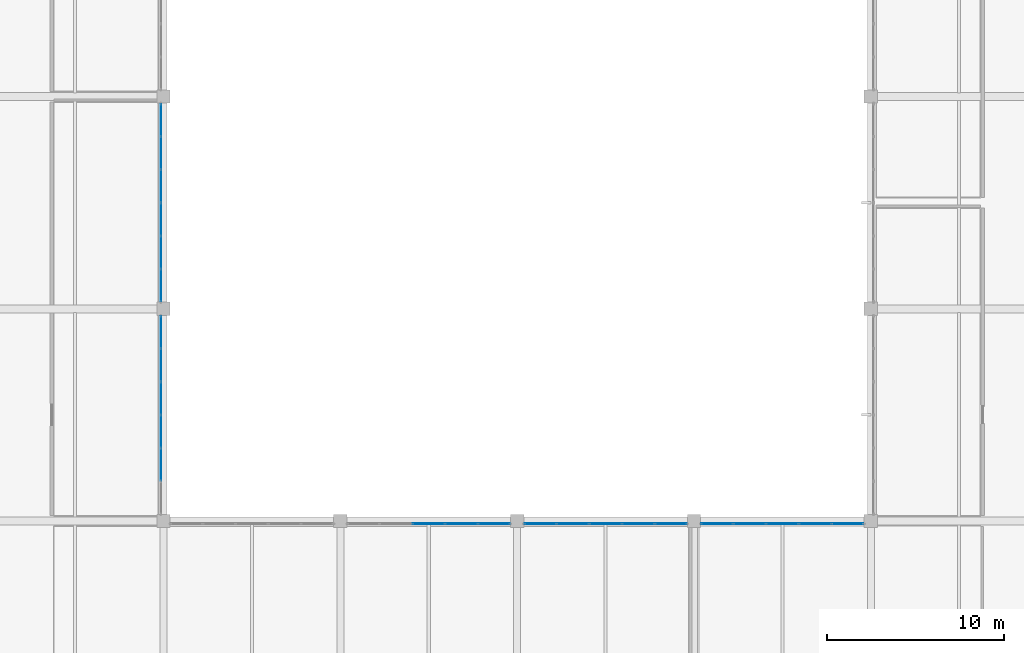
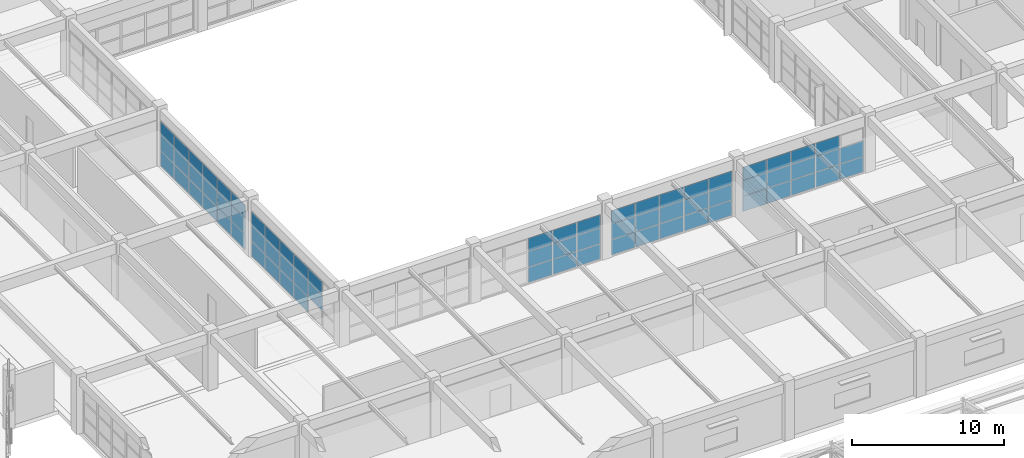
# One storey, part 75 of 109: 70 plates, 5 elements without a shape of their own.
"""IFC4 building model written with IfcOpenShell, lengths in metres."""

from ifc_helpers import new_model, si_unit, direction, frame, origin, origin_2d, place, context, subcontext, project, spatial, rectangle, extrude, material, layer, layer_set, type_object, element, aggregate, save


model = new_model("IFC4")

# Units and contexts
model_context = context("Model", 3, precision=1e-05, world=origin(), true_north=direction((0.0, 1.0)))
body_context = subcontext(model_context, "Body", "Model", "MODEL_VIEW")
ifc_project = project(units=[si_unit("LENGTHUNIT", "METRE"), si_unit("AREAUNIT", "SQUARE_METRE"), si_unit("VOLUMEUNIT", "CUBIC_METRE"), si_unit("PLANEANGLEUNIT", "RADIAN"), si_unit("MASSUNIT", "GRAM", prefix="KILO")], contexts=[model_context])

# Site, building, storey
site_placement = place(None, origin())
site = spatial("IfcSite", under=ifc_project, at=site_placement, CompositionType="ELEMENT")
building_placement = place(site_placement, origin())
building = spatial("IfcBuilding", under=site, at=building_placement, Name="Kivolera Central Railway Station", CompositionType="ELEMENT")
storey_placement = place(building_placement, frame((0.0, 0.0, 9.60009765625)))
storey = spatial("IfcBuildingStorey", under=building, at=storey_placement, Name="L02", CompositionType="ELEMENT", Elevation=9.60009765625)

# Curtain wall, plates
ifc_material_1 = material(Name="Anodised aluminium", Category="aluminium")
ifc_layer_1 = layer(ifc_material_1, 0.179931640625, Name="Anodised aluminium")
ifc_layer_set_1 = layer_set([ifc_layer_1], Name="Anodised aluminium")
curtain_wall_type_1 = type_object("IfcCurtainWallType", Name="CW-SYS-28", PredefinedType="NOTDEFINED", material=ifc_layer_set_1)
curtain_wall_1_placement = place(storey_placement, origin())
curtain_wall_1 = element("IfcCurtainWall", 1, at=curtain_wall_1_placement, inside=storey, type_object=curtain_wall_type_1, Name="L02 Curtain Wall CW-L02-CRTW-G", PredefinedType="NOTDEFINED")
ifc_material_2 = material(Name="Double low-E laminated glass", Category="glass")
ifc_layer_2 = layer(ifc_material_2, 0.02587890625, Name="Double low-E laminated glass")
ifc_layer_set_2 = layer_set([ifc_layer_2], Name="Double low-E laminated glass")
plate_type_1 = type_object("IfcPlateType", Name="CWP-GLZ-1", PredefinedType="CURTAIN_PANEL", material=ifc_layer_set_2)
plate_1_placement = place(storey_placement, frame((137.846923828125, 88.6767578125, 0.0478515625), z_axis=(0.0, 0.0, 1.0), x_axis=(0.0, -1.0, 0.0)))
plate_1 = element("IfcPlate", 2, at=plate_1_placement, type_object=plate_type_1, Name="CW-28 panel 1.1", PredefinedType="CURTAIN_PANEL", context=body_context, shape_type="SweptSolid", body=[
    extrude(rectangle(XDim=1.810546875, YDim=0.02587890625, at=origin_2d()), origin(), (0.0, 0.0, 1.0), 1.21435546875),
])
plate_2_placement = place(storey_placement, frame((137.846923828125, 88.6767578125, 1.29833984375), z_axis=(0.0, 0.0, 1.0), x_axis=(0.0, -1.0, 0.0)))
plate_2 = element("IfcPlate", 3, at=plate_2_placement, type_object=plate_type_1, Name="CW-28 panel 1.2", PredefinedType="CURTAIN_PANEL", context=body_context, shape_type="SweptSolid", body=[
    extrude(rectangle(XDim=1.810546875, YDim=0.02587890625, at=origin_2d()), origin(), (0.0, 0.0, 1.0), 1.244384765625),
])
plate_3_placement = place(storey_placement, frame((137.846923828125, 88.6767578125, 2.57861328125), z_axis=(0.0, 0.0, 1.0), x_axis=(0.0, -1.0, 0.0)))
plate_3 = element("IfcPlate", 4, at=plate_3_placement, type_object=plate_type_1, Name="CW-28 panel 1.3", PredefinedType="CURTAIN_PANEL", context=body_context, shape_type="SweptSolid", body=[
    extrude(rectangle(XDim=1.810546875, YDim=0.02587890625, at=origin_2d()), origin(), (0.0, 0.0, 1.0), 1.031494140625),
])
plate_4_placement = place(storey_placement, frame((137.846923828125, 86.81494140625, 0.0478515625), z_axis=(0.0, 0.0, 1.0), x_axis=(0.0, -1.0, 0.0)))
plate_4 = element("IfcPlate", 5, at=plate_4_placement, type_object=plate_type_1, Name="CW-28 panel 2.1", PredefinedType="CURTAIN_PANEL", context=body_context, shape_type="SweptSolid", body=[
    extrude(rectangle(XDim=1.840576171875, YDim=0.02587890625, at=origin_2d()), origin(), (0.0, 0.0, 1.0), 1.21435546875),
])
plate_5_placement = place(storey_placement, frame((137.846923828125, 86.81494140625, 1.29833984375), z_axis=(0.0, 0.0, 1.0), x_axis=(0.0, -1.0, 0.0)))
plate_5 = element("IfcPlate", 6, at=plate_5_placement, type_object=plate_type_1, Name="CW-28 panel 2.2", PredefinedType="CURTAIN_PANEL", context=body_context, shape_type="SweptSolid", body=[
    extrude(rectangle(XDim=1.840576171875, YDim=0.02587890625, at=origin_2d()), origin(), (0.0, 0.0, 1.0), 1.244384765625),
])
plate_6_placement = place(storey_placement, frame((137.846923828125, 86.81494140625, 2.57861328125), z_axis=(0.0, 0.0, 1.0), x_axis=(0.0, -1.0, 0.0)))
plate_6 = element("IfcPlate", 7, at=plate_6_placement, type_object=plate_type_1, Name="CW-28 panel 2.3", PredefinedType="CURTAIN_PANEL", context=body_context, shape_type="SweptSolid", body=[
    extrude(rectangle(XDim=1.840576171875, YDim=0.02587890625, at=origin_2d()), origin(), (0.0, 0.0, 1.0), 1.031494140625),
])
plate_7_placement = place(storey_placement, frame((137.846923828125, 84.938232421875, 0.0478515625), z_axis=(0.0, 0.0, 1.0), x_axis=(0.0, -1.0, 0.0)))
plate_7 = element("IfcPlate", 8, at=plate_7_placement, type_object=plate_type_1, Name="CW-28 panel 3.1", PredefinedType="CURTAIN_PANEL", context=body_context, shape_type="SweptSolid", body=[
    extrude(rectangle(XDim=1.840576171875, YDim=0.02587890625, at=origin_2d()), origin(), (0.0, 0.0, 1.0), 1.21435546875),
])
plate_8_placement = place(storey_placement, frame((137.846923828125, 84.938232421875, 1.29833984375), z_axis=(0.0, 0.0, 1.0), x_axis=(0.0, -1.0, 0.0)))
plate_8 = element("IfcPlate", 9, at=plate_8_placement, type_object=plate_type_1, Name="CW-28 panel 3.2", PredefinedType="CURTAIN_PANEL", context=body_context, shape_type="SweptSolid", body=[
    extrude(rectangle(XDim=1.840576171875, YDim=0.02587890625, at=origin_2d()), origin(), (0.0, 0.0, 1.0), 1.244384765625),
])
plate_9_placement = place(storey_placement, frame((137.846923828125, 84.938232421875, 2.57861328125), z_axis=(0.0, 0.0, 1.0), x_axis=(0.0, -1.0, 0.0)))
plate_9 = element("IfcPlate", 10, at=plate_9_placement, type_object=plate_type_1, Name="CW-28 panel 3.3", PredefinedType="CURTAIN_PANEL", context=body_context, shape_type="SweptSolid", body=[
    extrude(rectangle(XDim=1.840576171875, YDim=0.02587890625, at=origin_2d()), origin(), (0.0, 0.0, 1.0), 1.031494140625),
])
plate_10_placement = place(storey_placement, frame((137.846923828125, 83.061767578125, 0.0478515625), z_axis=(0.0, 0.0, 1.0), x_axis=(0.0, -1.0, 0.0)))
plate_10 = element("IfcPlate", 11, at=plate_10_placement, type_object=plate_type_1, Name="CW-28 panel 4.1", PredefinedType="CURTAIN_PANEL", context=body_context, shape_type="SweptSolid", body=[
    extrude(rectangle(XDim=1.840576171875, YDim=0.02587890625, at=origin_2d()), origin(), (0.0, 0.0, 1.0), 1.21435546875),
])
plate_11_placement = place(storey_placement, frame((137.846923828125, 83.061767578125, 1.29833984375), z_axis=(0.0, 0.0, 1.0), x_axis=(0.0, -1.0, 0.0)))
plate_11 = element("IfcPlate", 12, at=plate_11_placement, type_object=plate_type_1, Name="CW-28 panel 4.2", PredefinedType="CURTAIN_PANEL", context=body_context, shape_type="SweptSolid", body=[
    extrude(rectangle(XDim=1.840576171875, YDim=0.02587890625, at=origin_2d()), origin(), (0.0, 0.0, 1.0), 1.244384765625),
])
plate_12_placement = place(storey_placement, frame((137.846923828125, 83.061767578125, 2.57861328125), z_axis=(0.0, 0.0, 1.0), x_axis=(0.0, -1.0, 0.0)))
plate_12 = element("IfcPlate", 13, at=plate_12_placement, type_object=plate_type_1, Name="CW-28 panel 4.3", PredefinedType="CURTAIN_PANEL", context=body_context, shape_type="SweptSolid", body=[
    extrude(rectangle(XDim=1.840576171875, YDim=0.02587890625, at=origin_2d()), origin(), (0.0, 0.0, 1.0), 1.031494140625),
])
plate_13_placement = place(storey_placement, frame((137.846923828125, 81.18505859375, 1.29833984375), z_axis=(0.0, 0.0, 1.0), x_axis=(0.0, -1.0, 0.0)))
plate_13 = element("IfcPlate", 14, at=plate_13_placement, type_object=plate_type_1, Name="CW-28 panel 5.2", PredefinedType="CURTAIN_PANEL", context=body_context, shape_type="SweptSolid", body=[
    extrude(rectangle(XDim=1.840576171875, YDim=0.02587890625, at=origin_2d()), origin(), (0.0, 0.0, 1.0), 1.244384765625),
])
plate_14_placement = place(storey_placement, frame((137.846923828125, 81.18505859375, 2.57861328125), z_axis=(0.0, 0.0, 1.0), x_axis=(0.0, -1.0, 0.0)))
plate_14 = element("IfcPlate", 15, at=plate_14_placement, type_object=plate_type_1, Name="CW-28 panel 5.3", PredefinedType="CURTAIN_PANEL", context=body_context, shape_type="SweptSolid", body=[
    extrude(rectangle(XDim=1.840576171875, YDim=0.02587890625, at=origin_2d()), origin(), (0.0, 0.0, 1.0), 1.031494140625),
])
aggregate(curtain_wall_1, [plate_1, plate_2, plate_3, plate_4, plate_5, plate_6, plate_7, plate_8, plate_9, plate_10, plate_11, plate_12, plate_13, plate_14])

curtain_wall_2_placement = place(storey_placement, origin())
curtain_wall_2 = element("IfcCurtainWall", 16, at=curtain_wall_2_placement, inside=storey, type_object=curtain_wall_type_1, Name="L02 Curtain Wall CW-L02-CRTW-H", PredefinedType="NOTDEFINED")
plate_15_placement = place(storey_placement, frame((137.846923828125, 100.6767578125, 0.0478515625), z_axis=(0.0, 0.0, 1.0), x_axis=(0.0, -1.0, 0.0)))
plate_15 = element("IfcPlate", 17, at=plate_15_placement, type_object=plate_type_1, Name="CW-28 panel 1.1", PredefinedType="CURTAIN_PANEL", context=body_context, shape_type="SweptSolid", body=[
    extrude(rectangle(XDim=1.810546875, YDim=0.02587890625, at=origin_2d()), origin(), (0.0, 0.0, 1.0), 1.21435546875),
])
plate_16_placement = place(storey_placement, frame((137.846923828125, 100.6767578125, 1.29833984375), z_axis=(0.0, 0.0, 1.0), x_axis=(0.0, -1.0, 0.0)))
plate_16 = element("IfcPlate", 18, at=plate_16_placement, type_object=plate_type_1, Name="CW-28 panel 1.2", PredefinedType="CURTAIN_PANEL", context=body_context, shape_type="SweptSolid", body=[
    extrude(rectangle(XDim=1.810546875, YDim=0.02587890625, at=origin_2d()), origin(), (0.0, 0.0, 1.0), 1.244384765625),
])
plate_17_placement = place(storey_placement, frame((137.846923828125, 100.6767578125, 2.57861328125), z_axis=(0.0, 0.0, 1.0), x_axis=(0.0, -1.0, 0.0)))
plate_17 = element("IfcPlate", 19, at=plate_17_placement, type_object=plate_type_1, Name="CW-28 panel 1.3", PredefinedType="CURTAIN_PANEL", context=body_context, shape_type="SweptSolid", body=[
    extrude(rectangle(XDim=1.810546875, YDim=0.02587890625, at=origin_2d()), origin(), (0.0, 0.0, 1.0), 1.031494140625),
])
plate_18_placement = place(storey_placement, frame((137.846923828125, 98.81494140625, 0.0478515625), z_axis=(0.0, 0.0, 1.0), x_axis=(0.0, -1.0, 0.0)))
plate_18 = element("IfcPlate", 20, at=plate_18_placement, type_object=plate_type_1, Name="CW-28 panel 2.1", PredefinedType="CURTAIN_PANEL", context=body_context, shape_type="SweptSolid", body=[
    extrude(rectangle(XDim=1.840576171875, YDim=0.02587890625, at=origin_2d()), origin(), (0.0, 0.0, 1.0), 1.21435546875),
])
plate_19_placement = place(storey_placement, frame((137.846923828125, 98.81494140625, 1.29833984375), z_axis=(0.0, 0.0, 1.0), x_axis=(0.0, -1.0, 0.0)))
plate_19 = element("IfcPlate", 21, at=plate_19_placement, type_object=plate_type_1, Name="CW-28 panel 2.2", PredefinedType="CURTAIN_PANEL", context=body_context, shape_type="SweptSolid", body=[
    extrude(rectangle(XDim=1.840576171875, YDim=0.02587890625, at=origin_2d()), origin(), (0.0, 0.0, 1.0), 1.244384765625),
])
plate_20_placement = place(storey_placement, frame((137.846923828125, 98.81494140625, 2.57861328125), z_axis=(0.0, 0.0, 1.0), x_axis=(0.0, -1.0, 0.0)))
plate_20 = element("IfcPlate", 22, at=plate_20_placement, type_object=plate_type_1, Name="CW-28 panel 2.3", PredefinedType="CURTAIN_PANEL", context=body_context, shape_type="SweptSolid", body=[
    extrude(rectangle(XDim=1.840576171875, YDim=0.02587890625, at=origin_2d()), origin(), (0.0, 0.0, 1.0), 1.031494140625),
])
plate_21_placement = place(storey_placement, frame((137.846923828125, 96.938232421875, 0.0478515625), z_axis=(0.0, 0.0, 1.0), x_axis=(0.0, -1.0, 0.0)))
plate_21 = element("IfcPlate", 23, at=plate_21_placement, type_object=plate_type_1, Name="CW-28 panel 3.1", PredefinedType="CURTAIN_PANEL", context=body_context, shape_type="SweptSolid", body=[
    extrude(rectangle(XDim=1.840576171875, YDim=0.02587890625, at=origin_2d()), origin(), (0.0, 0.0, 1.0), 1.21435546875),
])
plate_22_placement = place(storey_placement, frame((137.846923828125, 96.938232421875, 1.29833984375), z_axis=(0.0, 0.0, 1.0), x_axis=(0.0, -1.0, 0.0)))
plate_22 = element("IfcPlate", 24, at=plate_22_placement, type_object=plate_type_1, Name="CW-28 panel 3.2", PredefinedType="CURTAIN_PANEL", context=body_context, shape_type="SweptSolid", body=[
    extrude(rectangle(XDim=1.840576171875, YDim=0.02587890625, at=origin_2d()), origin(), (0.0, 0.0, 1.0), 1.244384765625),
])
plate_23_placement = place(storey_placement, frame((137.846923828125, 96.938232421875, 2.57861328125), z_axis=(0.0, 0.0, 1.0), x_axis=(0.0, -1.0, 0.0)))
plate_23 = element("IfcPlate", 25, at=plate_23_placement, type_object=plate_type_1, Name="CW-28 panel 3.3", PredefinedType="CURTAIN_PANEL", context=body_context, shape_type="SweptSolid", body=[
    extrude(rectangle(XDim=1.840576171875, YDim=0.02587890625, at=origin_2d()), origin(), (0.0, 0.0, 1.0), 1.031494140625),
])
plate_24_placement = place(storey_placement, frame((137.846923828125, 95.061767578125, 0.0478515625), z_axis=(0.0, 0.0, 1.0), x_axis=(0.0, -1.0, 0.0)))
plate_24 = element("IfcPlate", 26, at=plate_24_placement, type_object=plate_type_1, Name="CW-28 panel 4.1", PredefinedType="CURTAIN_PANEL", context=body_context, shape_type="SweptSolid", body=[
    extrude(rectangle(XDim=1.840576171875, YDim=0.02587890625, at=origin_2d()), origin(), (0.0, 0.0, 1.0), 1.21435546875),
])
plate_25_placement = place(storey_placement, frame((137.846923828125, 95.061767578125, 1.29833984375), z_axis=(0.0, 0.0, 1.0), x_axis=(0.0, -1.0, 0.0)))
plate_25 = element("IfcPlate", 27, at=plate_25_placement, type_object=plate_type_1, Name="CW-28 panel 4.2", PredefinedType="CURTAIN_PANEL", context=body_context, shape_type="SweptSolid", body=[
    extrude(rectangle(XDim=1.840576171875, YDim=0.02587890625, at=origin_2d()), origin(), (0.0, 0.0, 1.0), 1.244384765625),
])
plate_26_placement = place(storey_placement, frame((137.846923828125, 95.061767578125, 2.57861328125), z_axis=(0.0, 0.0, 1.0), x_axis=(0.0, -1.0, 0.0)))
plate_26 = element("IfcPlate", 28, at=plate_26_placement, type_object=plate_type_1, Name="CW-28 panel 4.3", PredefinedType="CURTAIN_PANEL", context=body_context, shape_type="SweptSolid", body=[
    extrude(rectangle(XDim=1.840576171875, YDim=0.02587890625, at=origin_2d()), origin(), (0.0, 0.0, 1.0), 1.031494140625),
])
plate_27_placement = place(storey_placement, frame((137.846923828125, 93.18505859375, 0.0478515625), z_axis=(0.0, 0.0, 1.0), x_axis=(0.0, -1.0, 0.0)))
plate_27 = element("IfcPlate", 29, at=plate_27_placement, type_object=plate_type_1, Name="CW-28 panel 5.1", PredefinedType="CURTAIN_PANEL", context=body_context, shape_type="SweptSolid", body=[
    extrude(rectangle(XDim=1.840576171875, YDim=0.02587890625, at=origin_2d()), origin(), (0.0, 0.0, 1.0), 1.21435546875),
])
plate_28_placement = place(storey_placement, frame((137.846923828125, 93.18505859375, 1.29833984375), z_axis=(0.0, 0.0, 1.0), x_axis=(0.0, -1.0, 0.0)))
plate_28 = element("IfcPlate", 30, at=plate_28_placement, type_object=plate_type_1, Name="CW-28 panel 5.2", PredefinedType="CURTAIN_PANEL", context=body_context, shape_type="SweptSolid", body=[
    extrude(rectangle(XDim=1.840576171875, YDim=0.02587890625, at=origin_2d()), origin(), (0.0, 0.0, 1.0), 1.244384765625),
])
plate_29_placement = place(storey_placement, frame((137.846923828125, 93.18505859375, 2.57861328125), z_axis=(0.0, 0.0, 1.0), x_axis=(0.0, -1.0, 0.0)))
plate_29 = element("IfcPlate", 31, at=plate_29_placement, type_object=plate_type_1, Name="CW-28 panel 5.3", PredefinedType="CURTAIN_PANEL", context=body_context, shape_type="SweptSolid", body=[
    extrude(rectangle(XDim=1.840576171875, YDim=0.02587890625, at=origin_2d()), origin(), (0.0, 0.0, 1.0), 1.031494140625),
])
plate_30_placement = place(storey_placement, frame((137.846923828125, 91.3232421875, 0.0478515625), z_axis=(0.0, 0.0, 1.0), x_axis=(0.0, -1.0, 0.0)))
plate_30 = element("IfcPlate", 32, at=plate_30_placement, type_object=plate_type_1, Name="CW-28 panel 6.1", PredefinedType="CURTAIN_PANEL", context=body_context, shape_type="SweptSolid", body=[
    extrude(rectangle(XDim=1.810546875, YDim=0.02587890625, at=origin_2d()), origin(), (0.0, 0.0, 1.0), 1.21435546875),
])
plate_31_placement = place(storey_placement, frame((137.846923828125, 91.3232421875, 1.29833984375), z_axis=(0.0, 0.0, 1.0), x_axis=(0.0, -1.0, 0.0)))
plate_31 = element("IfcPlate", 33, at=plate_31_placement, type_object=plate_type_1, Name="CW-28 panel 6.2", PredefinedType="CURTAIN_PANEL", context=body_context, shape_type="SweptSolid", body=[
    extrude(rectangle(XDim=1.810546875, YDim=0.02587890625, at=origin_2d()), origin(), (0.0, 0.0, 1.0), 1.244384765625),
])
plate_32_placement = place(storey_placement, frame((137.846923828125, 91.3232421875, 2.57861328125), z_axis=(0.0, 0.0, 1.0), x_axis=(0.0, -1.0, 0.0)))
plate_32 = element("IfcPlate", 34, at=plate_32_placement, type_object=plate_type_1, Name="CW-28 panel 6.3", PredefinedType="CURTAIN_PANEL", context=body_context, shape_type="SweptSolid", body=[
    extrude(rectangle(XDim=1.810546875, YDim=0.02587890625, at=origin_2d()), origin(), (0.0, 0.0, 1.0), 1.031494140625),
])
aggregate(curtain_wall_2, [plate_15, plate_16, plate_17, plate_18, plate_19, plate_20, plate_21, plate_22, plate_23, plate_24, plate_25, plate_26, plate_27, plate_28, plate_29, plate_30, plate_31, plate_32])

ifc_layer_3 = layer(ifc_material_1, 0.179931640625, Name="Anodised aluminium")
ifc_layer_set_3 = layer_set([ifc_layer_3], Name="Anodised aluminium")
curtain_wall_type_2 = type_object("IfcCurtainWallType", Name="CW-SYS-27", PredefinedType="NOTDEFINED", material=ifc_layer_set_3)
curtain_wall_3_placement = place(storey_placement, origin())
curtain_wall_3 = element("IfcCurtainWall", 35, at=curtain_wall_3_placement, inside=storey, type_object=curtain_wall_type_2, Name="L02 Curtain Wall CW-L02-CRTS-148", PredefinedType="NOTDEFINED")
ifc_layer_4 = layer(ifc_material_2, 0.033935546875, Name="Double low-E laminated glass")
ifc_layer_set_4 = layer_set([ifc_layer_4], Name="Double low-E laminated glass")
plate_type_2 = type_object("IfcPlateType", Name="CWP-GLZ-3", PredefinedType="CURTAIN_PANEL", material=ifc_layer_set_4)
plate_33_placement = place(storey_placement, frame((153.0, 77.846923828125, 0.0478515625), z_axis=(0.0, 0.0, 1.0), x_axis=(1.0, 0.0, 0.0)))
plate_33 = element("IfcPlate", 36, at=plate_33_placement, type_object=plate_type_2, Name="CW-27 panel 3.1", PredefinedType="CURTAIN_PANEL", context=body_context, shape_type="SweptSolid", body=[
    extrude(rectangle(XDim=1.81591796875, YDim=0.033935546875, at=origin_2d()), origin(), (0.0, 0.0, 1.0), 1.21435546875),
])
plate_34_placement = place(storey_placement, frame((153.0, 77.846923828125, 1.29833984375), z_axis=(0.0, 0.0, 1.0), x_axis=(1.0, 0.0, 0.0)))
plate_34 = element("IfcPlate", 37, at=plate_34_placement, type_object=plate_type_2, Name="CW-27 panel 3.2", PredefinedType="CURTAIN_PANEL", context=body_context, shape_type="SweptSolid", body=[
    extrude(rectangle(XDim=1.81591796875, YDim=0.033935546875, at=origin_2d()), origin(), (0.0, 0.0, 1.0), 1.244384765625),
])
plate_35_placement = place(storey_placement, frame((153.0, 77.846923828125, 2.57861328125), z_axis=(0.0, 0.0, 1.0), x_axis=(1.0, 0.0, 0.0)))
plate_35 = element("IfcPlate", 38, at=plate_35_placement, type_object=plate_type_2, Name="CW-27 panel 3.3", PredefinedType="CURTAIN_PANEL", context=body_context, shape_type="SweptSolid", body=[
    extrude(rectangle(XDim=1.81591796875, YDim=0.033935546875, at=origin_2d()), origin(), (0.0, 0.0, 1.0), 1.031494140625),
])
plate_36_placement = place(storey_placement, frame((154.85205078125, 77.846923828125, 0.0478515625), z_axis=(0.0, 0.0, 1.0), x_axis=(1.0, 0.0, 0.0)))
plate_36 = element("IfcPlate", 39, at=plate_36_placement, type_object=plate_type_2, Name="CW-27 panel 4.1", PredefinedType="CURTAIN_PANEL", context=body_context, shape_type="SweptSolid", body=[
    extrude(rectangle(XDim=1.81591796875, YDim=0.033935546875, at=origin_2d()), origin(), (0.0, 0.0, 1.0), 1.21435546875),
])
plate_37_placement = place(storey_placement, frame((154.85205078125, 77.846923828125, 1.29833984375), z_axis=(0.0, 0.0, 1.0), x_axis=(1.0, 0.0, 0.0)))
plate_37 = element("IfcPlate", 40, at=plate_37_placement, type_object=plate_type_2, Name="CW-27 panel 4.2", PredefinedType="CURTAIN_PANEL", context=body_context, shape_type="SweptSolid", body=[
    extrude(rectangle(XDim=1.81591796875, YDim=0.033935546875, at=origin_2d()), origin(), (0.0, 0.0, 1.0), 1.244384765625),
])
plate_38_placement = place(storey_placement, frame((154.85205078125, 77.846923828125, 2.57861328125), z_axis=(0.0, 0.0, 1.0), x_axis=(1.0, 0.0, 0.0)))
plate_38 = element("IfcPlate", 41, at=plate_38_placement, type_object=plate_type_2, Name="CW-27 panel 4.3", PredefinedType="CURTAIN_PANEL", context=body_context, shape_type="SweptSolid", body=[
    extrude(rectangle(XDim=1.81591796875, YDim=0.033935546875, at=origin_2d()), origin(), (0.0, 0.0, 1.0), 1.031494140625),
])
plate_39_placement = place(storey_placement, frame((156.68896484375, 77.846923828125, 0.0478515625), z_axis=(0.0, 0.0, 1.0), x_axis=(1.0, 0.0, 0.0)))
plate_39 = element("IfcPlate", 42, at=plate_39_placement, type_object=plate_type_2, Name="CW-27 panel 5.1", PredefinedType="CURTAIN_PANEL", context=body_context, shape_type="SweptSolid", body=[
    extrude(rectangle(XDim=1.785888671875, YDim=0.033935546875, at=origin_2d()), origin(), (0.0, 0.0, 1.0), 1.21435546875),
])
plate_40_placement = place(storey_placement, frame((156.68896484375, 77.846923828125, 1.29833984375), z_axis=(0.0, 0.0, 1.0), x_axis=(1.0, 0.0, 0.0)))
plate_40 = element("IfcPlate", 43, at=plate_40_placement, type_object=plate_type_2, Name="CW-27 panel 5.2", PredefinedType="CURTAIN_PANEL", context=body_context, shape_type="SweptSolid", body=[
    extrude(rectangle(XDim=1.785888671875, YDim=0.033935546875, at=origin_2d()), origin(), (0.0, 0.0, 1.0), 1.244384765625),
])
plate_41_placement = place(storey_placement, frame((156.68896484375, 77.846923828125, 2.57861328125), z_axis=(0.0, 0.0, 1.0), x_axis=(1.0, 0.0, 0.0)))
plate_41 = element("IfcPlate", 44, at=plate_41_placement, type_object=plate_type_2, Name="CW-27 panel 5.3", PredefinedType="CURTAIN_PANEL", context=body_context, shape_type="SweptSolid", body=[
    extrude(rectangle(XDim=1.785888671875, YDim=0.033935546875, at=origin_2d()), origin(), (0.0, 0.0, 1.0), 1.031494140625),
])
aggregate(curtain_wall_3, [plate_33, plate_34, plate_35, plate_36, plate_37, plate_38, plate_39, plate_40, plate_41])

curtain_wall_4_placement = place(storey_placement, origin())
curtain_wall_4 = element("IfcCurtainWall", 45, at=curtain_wall_4_placement, inside=storey, type_object=curtain_wall_type_2, Name="L02 Curtain Wall CW-L02-CRTS-158", PredefinedType="NOTDEFINED")
plate_42_placement = place(storey_placement, frame((159.31103515625, 77.846923828125, 0.0478515625), z_axis=(0.0, 0.0, 1.0), x_axis=(1.0, 0.0, 0.0)))
plate_42 = element("IfcPlate", 46, at=plate_42_placement, type_object=plate_type_2, Name="CW-27 panel 1.1", PredefinedType="CURTAIN_PANEL", context=body_context, shape_type="SweptSolid", body=[
    extrude(rectangle(XDim=1.785888671875, YDim=0.033935546875, at=origin_2d()), origin(), (0.0, 0.0, 1.0), 1.21435546875),
])
plate_43_placement = place(storey_placement, frame((159.31103515625, 77.846923828125, 1.29833984375), z_axis=(0.0, 0.0, 1.0), x_axis=(1.0, 0.0, 0.0)))
plate_43 = element("IfcPlate", 47, at=plate_43_placement, type_object=plate_type_2, Name="CW-27 panel 1.2", PredefinedType="CURTAIN_PANEL", context=body_context, shape_type="SweptSolid", body=[
    extrude(rectangle(XDim=1.785888671875, YDim=0.033935546875, at=origin_2d()), origin(), (0.0, 0.0, 1.0), 1.244384765625),
])
plate_44_placement = place(storey_placement, frame((159.31103515625, 77.846923828125, 2.57861328125), z_axis=(0.0, 0.0, 1.0), x_axis=(1.0, 0.0, 0.0)))
plate_44 = element("IfcPlate", 48, at=plate_44_placement, type_object=plate_type_2, Name="CW-27 panel 1.3", PredefinedType="CURTAIN_PANEL", context=body_context, shape_type="SweptSolid", body=[
    extrude(rectangle(XDim=1.785888671875, YDim=0.033935546875, at=origin_2d()), origin(), (0.0, 0.0, 1.0), 1.031494140625),
])
plate_45_placement = place(storey_placement, frame((161.14794921875, 77.846923828125, 0.0478515625), z_axis=(0.0, 0.0, 1.0), x_axis=(1.0, 0.0, 0.0)))
plate_45 = element("IfcPlate", 49, at=plate_45_placement, type_object=plate_type_2, Name="CW-27 panel 2.1", PredefinedType="CURTAIN_PANEL", context=body_context, shape_type="SweptSolid", body=[
    extrude(rectangle(XDim=1.81591796875, YDim=0.033935546875, at=origin_2d()), origin(), (0.0, 0.0, 1.0), 1.21435546875),
])
plate_46_placement = place(storey_placement, frame((161.14794921875, 77.846923828125, 1.29833984375), z_axis=(0.0, 0.0, 1.0), x_axis=(1.0, 0.0, 0.0)))
plate_46 = element("IfcPlate", 50, at=plate_46_placement, type_object=plate_type_2, Name="CW-27 panel 2.2", PredefinedType="CURTAIN_PANEL", context=body_context, shape_type="SweptSolid", body=[
    extrude(rectangle(XDim=1.81591796875, YDim=0.033935546875, at=origin_2d()), origin(), (0.0, 0.0, 1.0), 1.244384765625),
])
plate_47_placement = place(storey_placement, frame((161.14794921875, 77.846923828125, 2.57861328125), z_axis=(0.0, 0.0, 1.0), x_axis=(1.0, 0.0, 0.0)))
plate_47 = element("IfcPlate", 51, at=plate_47_placement, type_object=plate_type_2, Name="CW-27 panel 2.3", PredefinedType="CURTAIN_PANEL", context=body_context, shape_type="SweptSolid", body=[
    extrude(rectangle(XDim=1.81591796875, YDim=0.033935546875, at=origin_2d()), origin(), (0.0, 0.0, 1.0), 1.031494140625),
])
plate_48_placement = place(storey_placement, frame((163.0, 77.846923828125, 0.0478515625), z_axis=(0.0, 0.0, 1.0), x_axis=(1.0, 0.0, 0.0)))
plate_48 = element("IfcPlate", 52, at=plate_48_placement, type_object=plate_type_2, Name="CW-27 panel 3.1", PredefinedType="CURTAIN_PANEL", context=body_context, shape_type="SweptSolid", body=[
    extrude(rectangle(XDim=1.81591796875, YDim=0.033935546875, at=origin_2d()), origin(), (0.0, 0.0, 1.0), 1.21435546875),
])
plate_49_placement = place(storey_placement, frame((163.0, 77.846923828125, 1.29833984375), z_axis=(0.0, 0.0, 1.0), x_axis=(1.0, 0.0, 0.0)))
plate_49 = element("IfcPlate", 53, at=plate_49_placement, type_object=plate_type_2, Name="CW-27 panel 3.2", PredefinedType="CURTAIN_PANEL", context=body_context, shape_type="SweptSolid", body=[
    extrude(rectangle(XDim=1.81591796875, YDim=0.033935546875, at=origin_2d()), origin(), (0.0, 0.0, 1.0), 1.244384765625),
])
plate_50_placement = place(storey_placement, frame((163.0, 77.846923828125, 2.57861328125), z_axis=(0.0, 0.0, 1.0), x_axis=(1.0, 0.0, 0.0)))
plate_50 = element("IfcPlate", 54, at=plate_50_placement, type_object=plate_type_2, Name="CW-27 panel 3.3", PredefinedType="CURTAIN_PANEL", context=body_context, shape_type="SweptSolid", body=[
    extrude(rectangle(XDim=1.81591796875, YDim=0.033935546875, at=origin_2d()), origin(), (0.0, 0.0, 1.0), 1.031494140625),
])
plate_51_placement = place(storey_placement, frame((164.85205078125, 77.846923828125, 0.0478515625), z_axis=(0.0, 0.0, 1.0), x_axis=(1.0, 0.0, 0.0)))
plate_51 = element("IfcPlate", 55, at=plate_51_placement, type_object=plate_type_2, Name="CW-27 panel 4.1", PredefinedType="CURTAIN_PANEL", context=body_context, shape_type="SweptSolid", body=[
    extrude(rectangle(XDim=1.81591796875, YDim=0.033935546875, at=origin_2d()), origin(), (0.0, 0.0, 1.0), 1.21435546875),
])
plate_52_placement = place(storey_placement, frame((164.85205078125, 77.846923828125, 1.29833984375), z_axis=(0.0, 0.0, 1.0), x_axis=(1.0, 0.0, 0.0)))
plate_52 = element("IfcPlate", 56, at=plate_52_placement, type_object=plate_type_2, Name="CW-27 panel 4.2", PredefinedType="CURTAIN_PANEL", context=body_context, shape_type="SweptSolid", body=[
    extrude(rectangle(XDim=1.81591796875, YDim=0.033935546875, at=origin_2d()), origin(), (0.0, 0.0, 1.0), 1.244384765625),
])
plate_53_placement = place(storey_placement, frame((164.85205078125, 77.846923828125, 2.57861328125), z_axis=(0.0, 0.0, 1.0), x_axis=(1.0, 0.0, 0.0)))
plate_53 = element("IfcPlate", 57, at=plate_53_placement, type_object=plate_type_2, Name="CW-27 panel 4.3", PredefinedType="CURTAIN_PANEL", context=body_context, shape_type="SweptSolid", body=[
    extrude(rectangle(XDim=1.81591796875, YDim=0.033935546875, at=origin_2d()), origin(), (0.0, 0.0, 1.0), 1.031494140625),
])
plate_54_placement = place(storey_placement, frame((166.68896484375, 77.846923828125, 0.0478515625), z_axis=(0.0, 0.0, 1.0), x_axis=(1.0, 0.0, 0.0)))
plate_54 = element("IfcPlate", 58, at=plate_54_placement, type_object=plate_type_2, Name="CW-27 panel 5.1", PredefinedType="CURTAIN_PANEL", context=body_context, shape_type="SweptSolid", body=[
    extrude(rectangle(XDim=1.785888671875, YDim=0.033935546875, at=origin_2d()), origin(), (0.0, 0.0, 1.0), 1.21435546875),
])
plate_55_placement = place(storey_placement, frame((166.68896484375, 77.846923828125, 1.29833984375), z_axis=(0.0, 0.0, 1.0), x_axis=(1.0, 0.0, 0.0)))
plate_55 = element("IfcPlate", 59, at=plate_55_placement, type_object=plate_type_2, Name="CW-27 panel 5.2", PredefinedType="CURTAIN_PANEL", context=body_context, shape_type="SweptSolid", body=[
    extrude(rectangle(XDim=1.785888671875, YDim=0.033935546875, at=origin_2d()), origin(), (0.0, 0.0, 1.0), 1.244384765625),
])
plate_56_placement = place(storey_placement, frame((166.68896484375, 77.846923828125, 2.57861328125), z_axis=(0.0, 0.0, 1.0), x_axis=(1.0, 0.0, 0.0)))
plate_56 = element("IfcPlate", 60, at=plate_56_placement, type_object=plate_type_2, Name="CW-27 panel 5.3", PredefinedType="CURTAIN_PANEL", context=body_context, shape_type="SweptSolid", body=[
    extrude(rectangle(XDim=1.785888671875, YDim=0.033935546875, at=origin_2d()), origin(), (0.0, 0.0, 1.0), 1.031494140625),
])
aggregate(curtain_wall_4, [plate_42, plate_43, plate_44, plate_45, plate_46, plate_47, plate_48, plate_49, plate_50, plate_51, plate_52, plate_53, plate_54, plate_55, plate_56])

curtain_wall_5_placement = place(storey_placement, origin())
curtain_wall_5 = element("IfcCurtainWall", 61, at=curtain_wall_5_placement, inside=storey, type_object=curtain_wall_type_2, Name="L02 Curtain Wall CW-L02-CRTS-168", PredefinedType="NOTDEFINED")
plate_57_placement = place(storey_placement, frame((169.31103515625, 77.846923828125, 0.0478515625), z_axis=(0.0, 0.0, 1.0), x_axis=(1.0, 0.0, 0.0)))
plate_57 = element("IfcPlate", 62, at=plate_57_placement, type_object=plate_type_2, Name="CW-27 panel 1.1", PredefinedType="CURTAIN_PANEL", context=body_context, shape_type="SweptSolid", body=[
    extrude(rectangle(XDim=1.785888671875, YDim=0.033935546875, at=origin_2d()), origin(), (0.0, 0.0, 1.0), 1.21435546875),
])
plate_58_placement = place(storey_placement, frame((169.31103515625, 77.846923828125, 1.29833984375), z_axis=(0.0, 0.0, 1.0), x_axis=(1.0, 0.0, 0.0)))
plate_58 = element("IfcPlate", 63, at=plate_58_placement, type_object=plate_type_2, Name="CW-27 panel 1.2", PredefinedType="CURTAIN_PANEL", context=body_context, shape_type="SweptSolid", body=[
    extrude(rectangle(XDim=1.785888671875, YDim=0.033935546875, at=origin_2d()), origin(), (0.0, 0.0, 1.0), 1.244384765625),
])
plate_59_placement = place(storey_placement, frame((169.31103515625, 77.846923828125, 2.57861328125), z_axis=(0.0, 0.0, 1.0), x_axis=(1.0, 0.0, 0.0)))
plate_59 = element("IfcPlate", 64, at=plate_59_placement, type_object=plate_type_2, Name="CW-27 panel 1.3", PredefinedType="CURTAIN_PANEL", context=body_context, shape_type="SweptSolid", body=[
    extrude(rectangle(XDim=1.785888671875, YDim=0.033935546875, at=origin_2d()), origin(), (0.0, 0.0, 1.0), 1.031494140625),
])
plate_60_placement = place(storey_placement, frame((171.14794921875, 77.846923828125, 0.0478515625), z_axis=(0.0, 0.0, 1.0), x_axis=(1.0, 0.0, 0.0)))
plate_60 = element("IfcPlate", 65, at=plate_60_placement, type_object=plate_type_2, Name="CW-27 panel 2.1", PredefinedType="CURTAIN_PANEL", context=body_context, shape_type="SweptSolid", body=[
    extrude(rectangle(XDim=1.81591796875, YDim=0.033935546875, at=origin_2d()), origin(), (0.0, 0.0, 1.0), 1.21435546875),
])
plate_61_placement = place(storey_placement, frame((171.14794921875, 77.846923828125, 1.29833984375), z_axis=(0.0, 0.0, 1.0), x_axis=(1.0, 0.0, 0.0)))
plate_61 = element("IfcPlate", 66, at=plate_61_placement, type_object=plate_type_2, Name="CW-27 panel 2.2", PredefinedType="CURTAIN_PANEL", context=body_context, shape_type="SweptSolid", body=[
    extrude(rectangle(XDim=1.81591796875, YDim=0.033935546875, at=origin_2d()), origin(), (0.0, 0.0, 1.0), 1.244384765625),
])
plate_62_placement = place(storey_placement, frame((171.14794921875, 77.846923828125, 2.57861328125), z_axis=(0.0, 0.0, 1.0), x_axis=(1.0, 0.0, 0.0)))
plate_62 = element("IfcPlate", 67, at=plate_62_placement, type_object=plate_type_2, Name="CW-27 panel 2.3", PredefinedType="CURTAIN_PANEL", context=body_context, shape_type="SweptSolid", body=[
    extrude(rectangle(XDim=1.81591796875, YDim=0.033935546875, at=origin_2d()), origin(), (0.0, 0.0, 1.0), 1.031494140625),
])
plate_63_placement = place(storey_placement, frame((173.0, 77.846923828125, 0.0478515625), z_axis=(0.0, 0.0, 1.0), x_axis=(1.0, 0.0, 0.0)))
plate_63 = element("IfcPlate", 68, at=plate_63_placement, type_object=plate_type_2, Name="CW-27 panel 3.1", PredefinedType="CURTAIN_PANEL", context=body_context, shape_type="SweptSolid", body=[
    extrude(rectangle(XDim=1.81591796875, YDim=0.033935546875, at=origin_2d()), origin(), (0.0, 0.0, 1.0), 1.21435546875),
])
plate_64_placement = place(storey_placement, frame((173.0, 77.846923828125, 1.29833984375), z_axis=(0.0, 0.0, 1.0), x_axis=(1.0, 0.0, 0.0)))
plate_64 = element("IfcPlate", 69, at=plate_64_placement, type_object=plate_type_2, Name="CW-27 panel 3.2", PredefinedType="CURTAIN_PANEL", context=body_context, shape_type="SweptSolid", body=[
    extrude(rectangle(XDim=1.81591796875, YDim=0.033935546875, at=origin_2d()), origin(), (0.0, 0.0, 1.0), 1.244384765625),
])
plate_65_placement = place(storey_placement, frame((173.0, 77.846923828125, 2.57861328125), z_axis=(0.0, 0.0, 1.0), x_axis=(1.0, 0.0, 0.0)))
plate_65 = element("IfcPlate", 70, at=plate_65_placement, type_object=plate_type_2, Name="CW-27 panel 3.3", PredefinedType="CURTAIN_PANEL", context=body_context, shape_type="SweptSolid", body=[
    extrude(rectangle(XDim=1.81591796875, YDim=0.033935546875, at=origin_2d()), origin(), (0.0, 0.0, 1.0), 1.031494140625),
])
plate_66_placement = place(storey_placement, frame((174.85205078125, 77.846923828125, 0.0478515625), z_axis=(0.0, 0.0, 1.0), x_axis=(1.0, 0.0, 0.0)))
plate_66 = element("IfcPlate", 71, at=plate_66_placement, type_object=plate_type_2, Name="CW-27 panel 4.1", PredefinedType="CURTAIN_PANEL", context=body_context, shape_type="SweptSolid", body=[
    extrude(rectangle(XDim=1.81591796875, YDim=0.033935546875, at=origin_2d()), origin(), (0.0, 0.0, 1.0), 1.21435546875),
])
plate_67_placement = place(storey_placement, frame((174.85205078125, 77.846923828125, 1.29833984375), z_axis=(0.0, 0.0, 1.0), x_axis=(1.0, 0.0, 0.0)))
plate_67 = element("IfcPlate", 72, at=plate_67_placement, type_object=plate_type_2, Name="CW-27 panel 4.2", PredefinedType="CURTAIN_PANEL", context=body_context, shape_type="SweptSolid", body=[
    extrude(rectangle(XDim=1.81591796875, YDim=0.033935546875, at=origin_2d()), origin(), (0.0, 0.0, 1.0), 1.244384765625),
])
plate_68_placement = place(storey_placement, frame((174.85205078125, 77.846923828125, 2.57861328125), z_axis=(0.0, 0.0, 1.0), x_axis=(1.0, 0.0, 0.0)))
plate_68 = element("IfcPlate", 73, at=plate_68_placement, type_object=plate_type_2, Name="CW-27 panel 4.3", PredefinedType="CURTAIN_PANEL", context=body_context, shape_type="SweptSolid", body=[
    extrude(rectangle(XDim=1.81591796875, YDim=0.033935546875, at=origin_2d()), origin(), (0.0, 0.0, 1.0), 1.031494140625),
])
plate_69_placement = place(storey_placement, frame((176.68896484375, 77.846923828125, 0.0478515625), z_axis=(0.0, 0.0, 1.0), x_axis=(1.0, 0.0, 0.0)))
plate_69 = element("IfcPlate", 74, at=plate_69_placement, type_object=plate_type_2, Name="CW-27 panel 5.1", PredefinedType="CURTAIN_PANEL", context=body_context, shape_type="SweptSolid", body=[
    extrude(rectangle(XDim=1.785888671875, YDim=0.033935546875, at=origin_2d()), origin(), (0.0, 0.0, 1.0), 1.21435546875),
])
plate_70_placement = place(storey_placement, frame((176.68896484375, 77.846923828125, 1.29833984375), z_axis=(0.0, 0.0, 1.0), x_axis=(1.0, 0.0, 0.0)))
plate_70 = element("IfcPlate", 75, at=plate_70_placement, type_object=plate_type_2, Name="CW-27 panel 5.2", PredefinedType="CURTAIN_PANEL", context=body_context, shape_type="SweptSolid", body=[
    extrude(rectangle(XDim=1.785888671875, YDim=0.033935546875, at=origin_2d()), origin(), (0.0, 0.0, 1.0), 1.244384765625),
])
aggregate(curtain_wall_5, [plate_57, plate_58, plate_59, plate_60, plate_61, plate_62, plate_63, plate_64, plate_65, plate_66, plate_67, plate_68, plate_69, plate_70])

save(model, "model.ifc")
